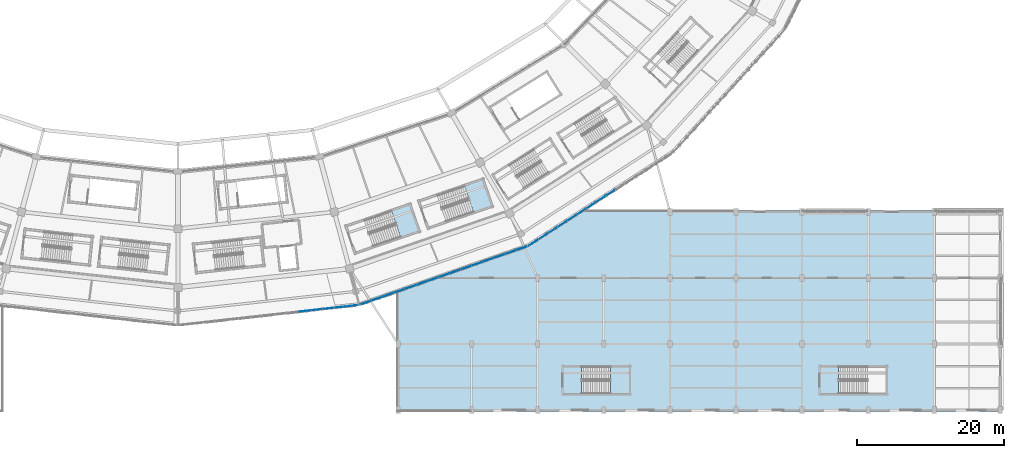
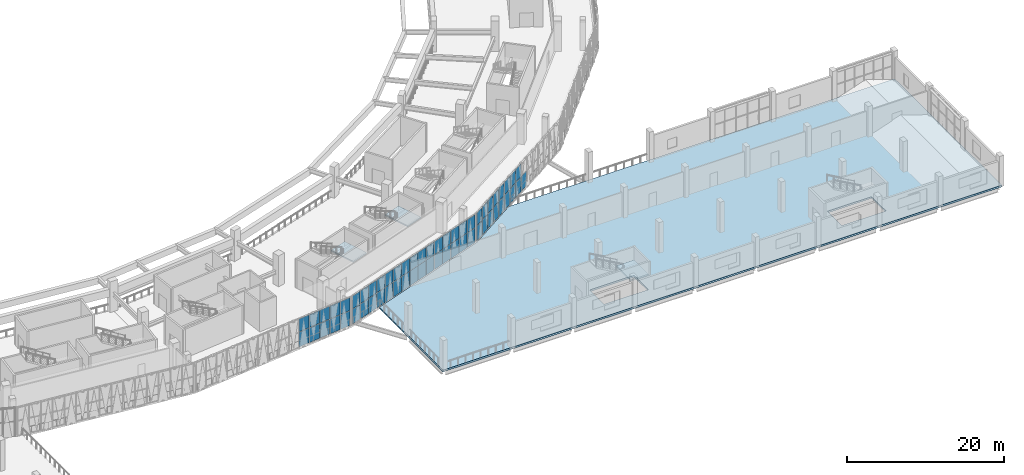
# One storey, part 82 of 179: 57 plates, 4 slabs, 6 elements without a shape of their own.
"""IFC4 building model written with IfcOpenShell, lengths in metres."""

from ifc_helpers import new_model, si_unit, direction, frame, origin, origin_2d, place, context, subcontext, project, spatial, polyline, rectangle, outline, extrude, material, layer, layer_set, type_object, element, aggregate, save


model = new_model("IFC4")

# Units and contexts
model_context = context("Model", 3, precision=1e-05, world=origin(), true_north=direction((0.0, 1.0)))
body_context = subcontext(model_context, "Body", "Model", "MODEL_VIEW")
ifc_project = project(units=[si_unit("LENGTHUNIT", "METRE"), si_unit("AREAUNIT", "SQUARE_METRE"), si_unit("VOLUMEUNIT", "CUBIC_METRE"), si_unit("PLANEANGLEUNIT", "RADIAN"), si_unit("MASSUNIT", "GRAM", prefix="KILO")], contexts=[model_context])

# Site, building, storey
site_placement = place(None, origin())
site = spatial("IfcSite", under=ifc_project, at=site_placement, CompositionType="ELEMENT")
building_placement = place(site_placement, origin())
building = spatial("IfcBuilding", under=site, at=building_placement, Name="Zevraka Park Crest Stadium", CompositionType="ELEMENT")
storey_placement = place(building_placement, frame((0.0, 0.0, 10.199951171875)))
storey = spatial("IfcBuildingStorey", under=building, at=storey_placement, Name="L02", CompositionType="ELEMENT", Elevation=10.199951171875)

# Curtain wall, plates
ifc_material_1 = material(Name="Anodised architectural aluminium and laminated safety glass", Category="aluminium")
curtain_wall_type_1 = type_object("IfcCurtainWallType", Name="CW06", PredefinedType="NOTDEFINED", material=ifc_material_1)
curtain_wall_1_placement = place(storey_placement, origin())
curtain_wall_1 = element("IfcCurtainWall", 1, at=curtain_wall_1_placement, inside=storey, type_object=curtain_wall_type_1, Name="Unitised Ring Curtain Wall CW06 L02-18", PredefinedType="NOTDEFINED")
ifc_material_2 = material(Name="Solar-control laminated double glazing", Category="glass")
ifc_layer_1 = layer(ifc_material_2, 0.028076171875)
ifc_layer_set_1 = layer_set([ifc_layer_1], Name="Solar-control laminated double glazing")
plate_type_1 = type_object("IfcPlateType", Name="CP06", PredefinedType="CURTAIN_PANEL", material=ifc_layer_set_1)
plate_1_placement = place(storey_placement, frame((129.2373046875, 13.493408203125, 0.070068359375), z_axis=(0.0, 0.0, 1.0), x_axis=(0.993899099743, 0.110293152687, 0.0)))
plate_1 = element("IfcPlate", 2, at=plate_1_placement, type_object=plate_type_1, Name="CW06 panel 11.1", PredefinedType="CURTAIN_PANEL", context=body_context, shape_type="SweptSolid", body=[
    extrude(rectangle(XDim=1.5693359375, YDim=0.028076171875, at=origin_2d()), origin(), (0.0, 0.0, 1.0), 2.294921875),
])
plate_2_placement = place(storey_placement, frame((129.2373046875, 13.493408203125, 2.43505859375), z_axis=(0.0, 0.0, 1.0), x_axis=(0.993899099743, 0.110293152687, 0.0)))
plate_2 = element("IfcPlate", 3, at=plate_2_placement, type_object=plate_type_1, Name="CW06 panel 11.2", PredefinedType="CURTAIN_PANEL", context=body_context, shape_type="SweptSolid", body=[
    extrude(rectangle(XDim=1.5693359375, YDim=0.028076171875, at=origin_2d()), origin(), (0.0, 0.0, 1.0), 1.9951171875),
])
plate_3_placement = place(storey_placement, frame((130.866455078125, 13.67431640625, 0.070068359375), z_axis=(0.0, 0.0, 1.0), x_axis=(0.993899099743, 0.110293152687, 0.0)))
plate_3 = element("IfcPlate", 4, at=plate_3_placement, type_object=plate_type_1, Name="CW06 panel 12.1", PredefinedType="CURTAIN_PANEL", context=body_context, shape_type="SweptSolid", body=[
    extrude(rectangle(XDim=1.5693359375, YDim=0.028076171875, at=origin_2d()), origin(), (0.0, 0.0, 1.0), 2.294921875),
])
plate_4_placement = place(storey_placement, frame((130.866455078125, 13.67431640625, 2.43505859375), z_axis=(0.0, 0.0, 1.0), x_axis=(0.993899099743, 0.110293152687, 0.0)))
plate_4 = element("IfcPlate", 5, at=plate_4_placement, type_object=plate_type_1, Name="CW06 panel 12.2", PredefinedType="CURTAIN_PANEL", context=body_context, shape_type="SweptSolid", body=[
    extrude(rectangle(XDim=1.5693359375, YDim=0.028076171875, at=origin_2d()), origin(), (0.0, 0.0, 1.0), 1.9951171875),
])
plate_5_placement = place(storey_placement, frame((132.495849609375, 13.85498046875, 0.070068359375), z_axis=(0.0, 0.0, 1.0), x_axis=(0.993899099743, 0.110293152687, 0.0)))
plate_5 = element("IfcPlate", 6, at=plate_5_placement, type_object=plate_type_1, Name="CW06 panel 13.1", PredefinedType="CURTAIN_PANEL", context=body_context, shape_type="SweptSolid", body=[
    extrude(rectangle(XDim=1.5693359375, YDim=0.028076171875, at=origin_2d()), origin(), (0.0, 0.0, 1.0), 2.294921875),
])
plate_6_placement = place(storey_placement, frame((132.495849609375, 13.85498046875, 2.43505859375), z_axis=(0.0, 0.0, 1.0), x_axis=(0.993899099743, 0.110293152687, 0.0)))
plate_6 = element("IfcPlate", 7, at=plate_6_placement, type_object=plate_type_1, Name="CW06 panel 13.2", PredefinedType="CURTAIN_PANEL", context=body_context, shape_type="SweptSolid", body=[
    extrude(rectangle(XDim=1.5693359375, YDim=0.028076171875, at=origin_2d()), origin(), (0.0, 0.0, 1.0), 1.9951171875),
])
plate_7_placement = place(storey_placement, frame((134.125, 14.035888671875, 0.070068359375), z_axis=(0.0, 0.0, 1.0), x_axis=(0.993899099743, 0.110293152687, 0.0)))
plate_7 = element("IfcPlate", 8, at=plate_7_placement, type_object=plate_type_1, Name="CW06 panel 14.1", PredefinedType="CURTAIN_PANEL", context=body_context, shape_type="SweptSolid", body=[
    extrude(rectangle(XDim=1.5693359375, YDim=0.028076171875, at=origin_2d()), origin(), (0.0, 0.0, 1.0), 2.294921875),
])
plate_8_placement = place(storey_placement, frame((134.125, 14.035888671875, 2.43505859375), z_axis=(0.0, 0.0, 1.0), x_axis=(0.993899099743, 0.110293152687, 0.0)))
plate_8 = element("IfcPlate", 9, at=plate_8_placement, type_object=plate_type_1, Name="CW06 panel 14.2", PredefinedType="CURTAIN_PANEL", context=body_context, shape_type="SweptSolid", body=[
    extrude(rectangle(XDim=1.5693359375, YDim=0.028076171875, at=origin_2d()), origin(), (0.0, 0.0, 1.0), 1.9951171875),
])
plate_9_placement = place(storey_placement, frame((135.737060546875, 14.214599609375, 0.070068359375), z_axis=(0.0, 0.0, 1.0), x_axis=(0.993899099743, 0.110293152687, 0.0)))
plate_9 = element("IfcPlate", 10, at=plate_9_placement, type_object=plate_type_1, Name="CW06 panel 15.1", PredefinedType="CURTAIN_PANEL", context=body_context, shape_type="SweptSolid", body=[
    extrude(rectangle(XDim=1.5341796875, YDim=0.028076171875, at=origin_2d()), origin(), (0.0, 0.0, 1.0), 2.294921875),
])
plate_10_placement = place(storey_placement, frame((135.737060546875, 14.214599609375, 2.43505859375), z_axis=(0.0, 0.0, 1.0), x_axis=(0.993899099743, 0.110293152687, 0.0)))
plate_10 = element("IfcPlate", 11, at=plate_10_placement, type_object=plate_type_1, Name="CW06 panel 15.2", PredefinedType="CURTAIN_PANEL", context=body_context, shape_type="SweptSolid", body=[
    extrude(rectangle(XDim=1.5341796875, YDim=0.028076171875, at=origin_2d()), origin(), (0.0, 0.0, 1.0), 1.9951171875),
])
aggregate(curtain_wall_1, [plate_1, plate_2, plate_3, plate_4, plate_5, plate_6, plate_7, plate_8, plate_9, plate_10])

ifc_material_3 = material(Name="Anodised architectural aluminium and laminated safety glass", Category="aluminium")
curtain_wall_type_2 = type_object("IfcCurtainWallType", Name="CW07", PredefinedType="NOTDEFINED", material=ifc_material_3)
curtain_wall_2_placement = place(storey_placement, origin())
curtain_wall_2 = element("IfcCurtainWall", 12, at=curtain_wall_2_placement, inside=storey, type_object=curtain_wall_type_2, Name="Unitised Ring Curtain Wall CW07 L02-19", PredefinedType="NOTDEFINED")
ifc_material_4 = material(Name="Solar-control laminated double glazing", Category="glass")
ifc_layer_2 = layer(ifc_material_4, 0.028076171875)
ifc_layer_set_2 = layer_set([ifc_layer_2], Name="Solar-control laminated double glazing")
plate_type_2 = type_object("IfcPlateType", Name="CP07", PredefinedType="CURTAIN_PANEL", material=ifc_layer_set_2)
plate_11_placement = place(storey_placement, frame((137.59619140625, 14.635009765625, 0.06005859375), z_axis=(0.0, 0.0, 1.0), x_axis=(0.944114076789, 0.329618886002, 0.0)))
plate_11 = element("IfcPlate", 13, at=plate_11_placement, type_object=plate_type_2, Name="CW07 panel 1.1", PredefinedType="CURTAIN_PANEL", context=body_context, shape_type="SweptSolid", body=[
    extrude(rectangle(XDim=1.517822265625, YDim=0.028076171875, at=origin_2d()), origin(), (0.0, 0.0, 1.0), 2.31005859375),
])
plate_12_placement = place(storey_placement, frame((137.59619140625, 14.635009765625, 2.43017578125), z_axis=(0.0, 0.0, 1.0), x_axis=(0.944114076789, 0.329618886002, 0.0)))
plate_12 = element("IfcPlate", 14, at=plate_12_placement, type_object=plate_type_2, Name="CW07 panel 1.2", PredefinedType="CURTAIN_PANEL", context=body_context, shape_type="SweptSolid", body=[
    extrude(rectangle(XDim=1.517822265625, YDim=0.028076171875, at=origin_2d()), origin(), (0.0, 0.0, 1.0), 2.010009765625),
])
plate_13_placement = place(storey_placement, frame((139.099853515625, 15.159912109375, 0.06005859375), z_axis=(0.0, 0.0, 1.0), x_axis=(0.944114076789, 0.329618886002, 0.0)))
plate_13 = element("IfcPlate", 15, at=plate_13_placement, type_object=plate_type_2, Name="CW07 panel 2.1", PredefinedType="CURTAIN_PANEL", context=body_context, shape_type="SweptSolid", body=[
    extrude(rectangle(XDim=1.547607421875, YDim=0.028076171875, at=origin_2d()), origin(), (0.0, 0.0, 1.0), 2.31005859375),
])
plate_14_placement = place(storey_placement, frame((139.099853515625, 15.159912109375, 2.43017578125), z_axis=(0.0, 0.0, 1.0), x_axis=(0.944114076789, 0.329618886002, 0.0)))
plate_14 = element("IfcPlate", 16, at=plate_14_placement, type_object=plate_type_2, Name="CW07 panel 2.2", PredefinedType="CURTAIN_PANEL", context=body_context, shape_type="SweptSolid", body=[
    extrude(rectangle(XDim=1.547607421875, YDim=0.028076171875, at=origin_2d()), origin(), (0.0, 0.0, 1.0), 2.010009765625),
])
plate_15_placement = place(storey_placement, frame((140.61767578125, 15.68994140625, 0.06005859375), z_axis=(0.0, 0.0, 1.0), x_axis=(0.944114076789, 0.329618886002, 0.0)))
plate_15 = element("IfcPlate", 17, at=plate_15_placement, type_object=plate_type_2, Name="CW07 panel 3.1", PredefinedType="CURTAIN_PANEL", context=body_context, shape_type="SweptSolid", body=[
    extrude(rectangle(XDim=1.547607421875, YDim=0.028076171875, at=origin_2d()), origin(), (0.0, 0.0, 1.0), 2.31005859375),
])
plate_16_placement = place(storey_placement, frame((140.61767578125, 15.68994140625, 2.43017578125), z_axis=(0.0, 0.0, 1.0), x_axis=(0.944114076789, 0.329618886002, 0.0)))
plate_16 = element("IfcPlate", 18, at=plate_16_placement, type_object=plate_type_2, Name="CW07 panel 3.2", PredefinedType="CURTAIN_PANEL", context=body_context, shape_type="SweptSolid", body=[
    extrude(rectangle(XDim=1.547607421875, YDim=0.028076171875, at=origin_2d()), origin(), (0.0, 0.0, 1.0), 2.010009765625),
])
plate_17_placement = place(storey_placement, frame((142.135498046875, 16.2197265625, 0.06005859375), z_axis=(0.0, 0.0, 1.0), x_axis=(0.944114076789, 0.329618886002, 0.0)))
plate_17 = element("IfcPlate", 19, at=plate_17_placement, type_object=plate_type_2, Name="CW07 panel 4.1", PredefinedType="CURTAIN_PANEL", context=body_context, shape_type="SweptSolid", body=[
    extrude(rectangle(XDim=1.547607421875, YDim=0.028076171875, at=origin_2d()), origin(), (0.0, 0.0, 1.0), 2.31005859375),
])
plate_18_placement = place(storey_placement, frame((142.135498046875, 16.2197265625, 2.43017578125), z_axis=(0.0, 0.0, 1.0), x_axis=(0.944114076789, 0.329618886002, 0.0)))
plate_18 = element("IfcPlate", 20, at=plate_18_placement, type_object=plate_type_2, Name="CW07 panel 4.2", PredefinedType="CURTAIN_PANEL", context=body_context, shape_type="SweptSolid", body=[
    extrude(rectangle(XDim=1.547607421875, YDim=0.028076171875, at=origin_2d()), origin(), (0.0, 0.0, 1.0), 2.010009765625),
])
plate_19_placement = place(storey_placement, frame((143.6533203125, 16.749755859375, 0.06005859375), z_axis=(0.0, 0.0, 1.0), x_axis=(0.944114076789, 0.329618886002, 0.0)))
plate_19 = element("IfcPlate", 21, at=plate_19_placement, type_object=plate_type_2, Name="CW07 panel 5.1", PredefinedType="CURTAIN_PANEL", context=body_context, shape_type="SweptSolid", body=[
    extrude(rectangle(XDim=1.547607421875, YDim=0.028076171875, at=origin_2d()), origin(), (0.0, 0.0, 1.0), 2.31005859375),
])
plate_20_placement = place(storey_placement, frame((143.6533203125, 16.749755859375, 2.43017578125), z_axis=(0.0, 0.0, 1.0), x_axis=(0.944114076789, 0.329618886002, 0.0)))
plate_20 = element("IfcPlate", 22, at=plate_20_placement, type_object=plate_type_2, Name="CW07 panel 5.2", PredefinedType="CURTAIN_PANEL", context=body_context, shape_type="SweptSolid", body=[
    extrude(rectangle(XDim=1.547607421875, YDim=0.028076171875, at=origin_2d()), origin(), (0.0, 0.0, 1.0), 2.010009765625),
])
plate_21_placement = place(storey_placement, frame((145.17138671875, 17.279541015625, 0.06005859375), z_axis=(0.0, 0.0, 1.0), x_axis=(0.944114076789, 0.329618886002, 0.0)))
plate_21 = element("IfcPlate", 23, at=plate_21_placement, type_object=plate_type_2, Name="CW07 panel 6.1", PredefinedType="CURTAIN_PANEL", context=body_context, shape_type="SweptSolid", body=[
    extrude(rectangle(XDim=1.547607421875, YDim=0.028076171875, at=origin_2d()), origin(), (0.0, 0.0, 1.0), 2.31005859375),
])
plate_22_placement = place(storey_placement, frame((145.17138671875, 17.279541015625, 2.43017578125), z_axis=(0.0, 0.0, 1.0), x_axis=(0.944114076789, 0.329618886002, 0.0)))
plate_22 = element("IfcPlate", 24, at=plate_22_placement, type_object=plate_type_2, Name="CW07 panel 6.2", PredefinedType="CURTAIN_PANEL", context=body_context, shape_type="SweptSolid", body=[
    extrude(rectangle(XDim=1.547607421875, YDim=0.028076171875, at=origin_2d()), origin(), (0.0, 0.0, 1.0), 2.010009765625),
])
plate_23_placement = place(storey_placement, frame((146.689208984375, 17.8095703125, 0.06005859375), z_axis=(0.0, 0.0, 1.0), x_axis=(0.944114076789, 0.329618886002, 0.0)))
plate_23 = element("IfcPlate", 25, at=plate_23_placement, type_object=plate_type_2, Name="CW07 panel 7.1", PredefinedType="CURTAIN_PANEL", context=body_context, shape_type="SweptSolid", body=[
    extrude(rectangle(XDim=1.547607421875, YDim=0.028076171875, at=origin_2d()), origin(), (0.0, 0.0, 1.0), 2.31005859375),
])
plate_24_placement = place(storey_placement, frame((146.689208984375, 17.8095703125, 2.43017578125), z_axis=(0.0, 0.0, 1.0), x_axis=(0.944114076789, 0.329618886002, 0.0)))
plate_24 = element("IfcPlate", 26, at=plate_24_placement, type_object=plate_type_2, Name="CW07 panel 7.2", PredefinedType="CURTAIN_PANEL", context=body_context, shape_type="SweptSolid", body=[
    extrude(rectangle(XDim=1.547607421875, YDim=0.028076171875, at=origin_2d()), origin(), (0.0, 0.0, 1.0), 2.010009765625),
])
plate_25_placement = place(storey_placement, frame((148.20703125, 18.339599609375, 0.06005859375), z_axis=(0.0, 0.0, 1.0), x_axis=(0.944114076789, 0.329618886002, 0.0)))
plate_25 = element("IfcPlate", 27, at=plate_25_placement, type_object=plate_type_2, Name="CW07 panel 8.1", PredefinedType="CURTAIN_PANEL", context=body_context, shape_type="SweptSolid", body=[
    extrude(rectangle(XDim=1.547607421875, YDim=0.028076171875, at=origin_2d()), origin(), (0.0, 0.0, 1.0), 2.31005859375),
])
plate_26_placement = place(storey_placement, frame((148.20703125, 18.339599609375, 2.43017578125), z_axis=(0.0, 0.0, 1.0), x_axis=(0.944114076789, 0.329618886002, 0.0)))
plate_26 = element("IfcPlate", 28, at=plate_26_placement, type_object=plate_type_2, Name="CW07 panel 8.2", PredefinedType="CURTAIN_PANEL", context=body_context, shape_type="SweptSolid", body=[
    extrude(rectangle(XDim=1.547607421875, YDim=0.028076171875, at=origin_2d()), origin(), (0.0, 0.0, 1.0), 2.010009765625),
])
plate_27_placement = place(storey_placement, frame((149.724853515625, 18.869384765625, 0.06005859375), z_axis=(0.0, 0.0, 1.0), x_axis=(0.944114076789, 0.329618886002, 0.0)))
plate_27 = element("IfcPlate", 29, at=plate_27_placement, type_object=plate_type_2, Name="CW07 panel 9.1", PredefinedType="CURTAIN_PANEL", context=body_context, shape_type="SweptSolid", body=[
    extrude(rectangle(XDim=1.547607421875, YDim=0.028076171875, at=origin_2d()), origin(), (0.0, 0.0, 1.0), 2.31005859375),
])
plate_28_placement = place(storey_placement, frame((149.724853515625, 18.869384765625, 2.43017578125), z_axis=(0.0, 0.0, 1.0), x_axis=(0.944114076789, 0.329618886002, 0.0)))
plate_28 = element("IfcPlate", 30, at=plate_28_placement, type_object=plate_type_2, Name="CW07 panel 9.2", PredefinedType="CURTAIN_PANEL", context=body_context, shape_type="SweptSolid", body=[
    extrude(rectangle(XDim=1.547607421875, YDim=0.028076171875, at=origin_2d()), origin(), (0.0, 0.0, 1.0), 2.010009765625),
])
plate_29_placement = place(storey_placement, frame((151.24267578125, 19.3994140625, 0.06005859375), z_axis=(0.0, 0.0, 1.0), x_axis=(0.944114076789, 0.329618886002, 0.0)))
plate_29 = element("IfcPlate", 31, at=plate_29_placement, type_object=plate_type_2, Name="CW07 panel 10.1", PredefinedType="CURTAIN_PANEL", context=body_context, shape_type="SweptSolid", body=[
    extrude(rectangle(XDim=1.547607421875, YDim=0.028076171875, at=origin_2d()), origin(), (0.0, 0.0, 1.0), 2.31005859375),
])
plate_30_placement = place(storey_placement, frame((151.24267578125, 19.3994140625, 2.43017578125), z_axis=(0.0, 0.0, 1.0), x_axis=(0.944114076789, 0.329618886002, 0.0)))
plate_30 = element("IfcPlate", 32, at=plate_30_placement, type_object=plate_type_2, Name="CW07 panel 10.2", PredefinedType="CURTAIN_PANEL", context=body_context, shape_type="SweptSolid", body=[
    extrude(rectangle(XDim=1.547607421875, YDim=0.028076171875, at=origin_2d()), origin(), (0.0, 0.0, 1.0), 2.010009765625),
])
plate_31_placement = place(storey_placement, frame((152.760498046875, 19.92919921875, 0.06005859375), z_axis=(0.0, 0.0, 1.0), x_axis=(0.944114076789, 0.329618886002, 0.0)))
plate_31 = element("IfcPlate", 33, at=plate_31_placement, type_object=plate_type_2, Name="CW07 panel 11.1", PredefinedType="CURTAIN_PANEL", context=body_context, shape_type="SweptSolid", body=[
    extrude(rectangle(XDim=1.547607421875, YDim=0.028076171875, at=origin_2d()), origin(), (0.0, 0.0, 1.0), 2.31005859375),
])
plate_32_placement = place(storey_placement, frame((152.760498046875, 19.92919921875, 2.43017578125), z_axis=(0.0, 0.0, 1.0), x_axis=(0.944114076789, 0.329618886002, 0.0)))
plate_32 = element("IfcPlate", 34, at=plate_32_placement, type_object=plate_type_2, Name="CW07 panel 11.2", PredefinedType="CURTAIN_PANEL", context=body_context, shape_type="SweptSolid", body=[
    extrude(rectangle(XDim=1.547607421875, YDim=0.028076171875, at=origin_2d()), origin(), (0.0, 0.0, 1.0), 2.010009765625),
])
plate_33_placement = place(storey_placement, frame((154.278564453125, 20.459228515625, 0.06005859375), z_axis=(0.0, 0.0, 1.0), x_axis=(0.944114076789, 0.329618886002, 0.0)))
plate_33 = element("IfcPlate", 35, at=plate_33_placement, type_object=plate_type_2, Name="CW07 panel 12.1", PredefinedType="CURTAIN_PANEL", context=body_context, shape_type="SweptSolid", body=[
    extrude(rectangle(XDim=1.547607421875, YDim=0.028076171875, at=origin_2d()), origin(), (0.0, 0.0, 1.0), 2.31005859375),
])
plate_34_placement = place(storey_placement, frame((154.278564453125, 20.459228515625, 2.43017578125), z_axis=(0.0, 0.0, 1.0), x_axis=(0.944114076789, 0.329618886002, 0.0)))
plate_34 = element("IfcPlate", 36, at=plate_34_placement, type_object=plate_type_2, Name="CW07 panel 12.2", PredefinedType="CURTAIN_PANEL", context=body_context, shape_type="SweptSolid", body=[
    extrude(rectangle(XDim=1.547607421875, YDim=0.028076171875, at=origin_2d()), origin(), (0.0, 0.0, 1.0), 2.010009765625),
])
plate_35_placement = place(storey_placement, frame((155.79638671875, 20.9892578125, 0.06005859375), z_axis=(0.0, 0.0, 1.0), x_axis=(0.944114076789, 0.329618886002, 0.0)))
plate_35 = element("IfcPlate", 37, at=plate_35_placement, type_object=plate_type_2, Name="CW07 panel 13.1", PredefinedType="CURTAIN_PANEL", context=body_context, shape_type="SweptSolid", body=[
    extrude(rectangle(XDim=1.547607421875, YDim=0.028076171875, at=origin_2d()), origin(), (0.0, 0.0, 1.0), 2.31005859375),
])
plate_36_placement = place(storey_placement, frame((155.79638671875, 20.9892578125, 2.43017578125), z_axis=(0.0, 0.0, 1.0), x_axis=(0.944114076789, 0.329618886002, 0.0)))
plate_36 = element("IfcPlate", 38, at=plate_36_placement, type_object=plate_type_2, Name="CW07 panel 13.2", PredefinedType="CURTAIN_PANEL", context=body_context, shape_type="SweptSolid", body=[
    extrude(rectangle(XDim=1.547607421875, YDim=0.028076171875, at=origin_2d()), origin(), (0.0, 0.0, 1.0), 2.010009765625),
])
plate_37_placement = place(storey_placement, frame((157.314208984375, 21.51904296875, 0.06005859375), z_axis=(0.0, 0.0, 1.0), x_axis=(0.944114076789, 0.329618886002, 0.0)))
plate_37 = element("IfcPlate", 39, at=plate_37_placement, type_object=plate_type_2, Name="CW07 panel 14.1", PredefinedType="CURTAIN_PANEL", context=body_context, shape_type="SweptSolid", body=[
    extrude(rectangle(XDim=1.547607421875, YDim=0.028076171875, at=origin_2d()), origin(), (0.0, 0.0, 1.0), 2.31005859375),
])
plate_38_placement = place(storey_placement, frame((157.314208984375, 21.51904296875, 2.43017578125), z_axis=(0.0, 0.0, 1.0), x_axis=(0.944114076789, 0.329618886002, 0.0)))
plate_38 = element("IfcPlate", 40, at=plate_38_placement, type_object=plate_type_2, Name="CW07 panel 14.2", PredefinedType="CURTAIN_PANEL", context=body_context, shape_type="SweptSolid", body=[
    extrude(rectangle(XDim=1.547607421875, YDim=0.028076171875, at=origin_2d()), origin(), (0.0, 0.0, 1.0), 2.010009765625),
])
plate_39_placement = place(storey_placement, frame((158.81787109375, 22.044189453125, 0.06005859375), z_axis=(0.0, 0.0, 1.0), x_axis=(0.944114076789, 0.329618886002, 0.0)))
plate_39 = element("IfcPlate", 41, at=plate_39_placement, type_object=plate_type_2, Name="CW07 panel 15.1", PredefinedType="CURTAIN_PANEL", context=body_context, shape_type="SweptSolid", body=[
    extrude(rectangle(XDim=1.517822265625, YDim=0.028076171875, at=origin_2d()), origin(), (0.0, 0.0, 1.0), 2.31005859375),
])
plate_40_placement = place(storey_placement, frame((158.81787109375, 22.044189453125, 2.43017578125), z_axis=(0.0, 0.0, 1.0), x_axis=(0.944114076789, 0.329618886002, 0.0)))
plate_40 = element("IfcPlate", 42, at=plate_40_placement, type_object=plate_type_2, Name="CW07 panel 15.2", PredefinedType="CURTAIN_PANEL", context=body_context, shape_type="SweptSolid", body=[
    extrude(rectangle(XDim=1.517822265625, YDim=0.028076171875, at=origin_2d()), origin(), (0.0, 0.0, 1.0), 2.010009765625),
])
aggregate(curtain_wall_2, [plate_11, plate_12, plate_13, plate_14, plate_15, plate_16, plate_17, plate_18, plate_19, plate_20, plate_21, plate_22, plate_23, plate_24, plate_25, plate_26, plate_27, plate_28, plate_29, plate_30, plate_31, plate_32, plate_33, plate_34, plate_35, plate_36, plate_37, plate_38, plate_39, plate_40])

ifc_material_5 = material(Name="Anodised architectural aluminium and laminated safety glass", Category="aluminium")
curtain_wall_type_3 = type_object("IfcCurtainWallType", Name="CW08", PredefinedType="NOTDEFINED", material=ifc_material_5)
curtain_wall_3_placement = place(storey_placement, origin())
curtain_wall_3 = element("IfcCurtainWall", 43, at=curtain_wall_3_placement, inside=storey, type_object=curtain_wall_type_3, Name="Unitised Ring Curtain Wall CW08 L02-20", PredefinedType="NOTDEFINED")
ifc_material_6 = material(Name="Solar-control laminated double glazing", Category="glass")
ifc_layer_3 = layer(ifc_material_6, 0.028076171875)
ifc_layer_set_3 = layer_set([ifc_layer_3], Name="Solar-control laminated double glazing")
plate_type_3 = type_object("IfcPlateType", Name="CP08", PredefinedType="CURTAIN_PANEL", material=ifc_layer_set_3)
plate_41_placement = place(storey_placement, frame((160.489013671875, 22.858154296875, 0.06494140625), z_axis=(0.0, 0.0, 1.0), x_axis=(0.839670424967, 0.543096287444, 0.0)))
plate_41 = element("IfcPlate", 44, at=plate_41_placement, type_object=plate_type_3, Name="CW08 panel 1.1", PredefinedType="CURTAIN_PANEL", context=body_context, shape_type="SweptSolid", body=[
    extrude(rectangle(XDim=1.4541015625, YDim=0.028076171875, at=origin_2d()), origin(), (0.0, 0.0, 1.0), 2.302490234375),
])
plate_42_placement = place(storey_placement, frame((160.489013671875, 22.858154296875, 2.4326171875), z_axis=(0.0, 0.0, 1.0), x_axis=(0.839670424967, 0.543096287444, 0.0)))
plate_42 = element("IfcPlate", 45, at=plate_42_placement, type_object=plate_type_3, Name="CW08 panel 1.2", PredefinedType="CURTAIN_PANEL", context=body_context, shape_type="SweptSolid", body=[
    extrude(rectangle(XDim=1.4541015625, YDim=0.028076171875, at=origin_2d()), origin(), (0.0, 0.0, 1.0), 2.00244140625),
])
plate_43_placement = place(storey_placement, frame((161.7783203125, 23.692138671875, 0.06494140625), z_axis=(0.0, 0.0, 1.0), x_axis=(0.839670424967, 0.543096287444, 0.0)))
plate_43 = element("IfcPlate", 46, at=plate_43_placement, type_object=plate_type_3, Name="CW08 panel 2.1", PredefinedType="CURTAIN_PANEL", context=body_context, shape_type="SweptSolid", body=[
    extrude(rectangle(XDim=1.48681640625, YDim=0.028076171875, at=origin_2d()), origin(), (0.0, 0.0, 1.0), 2.302490234375),
])
plate_44_placement = place(storey_placement, frame((161.7783203125, 23.692138671875, 2.4326171875), z_axis=(0.0, 0.0, 1.0), x_axis=(0.839670424967, 0.543096287444, 0.0)))
plate_44 = element("IfcPlate", 47, at=plate_44_placement, type_object=plate_type_3, Name="CW08 panel 2.2", PredefinedType="CURTAIN_PANEL", context=body_context, shape_type="SweptSolid", body=[
    extrude(rectangle(XDim=1.48681640625, YDim=0.028076171875, at=origin_2d()), origin(), (0.0, 0.0, 1.0), 2.00244140625),
])
plate_45_placement = place(storey_placement, frame((163.081298828125, 24.534912109375, 0.06494140625), z_axis=(0.0, 0.0, 1.0), x_axis=(0.839670424967, 0.543096287444, 0.0)))
plate_45 = element("IfcPlate", 48, at=plate_45_placement, type_object=plate_type_3, Name="CW08 panel 3.1", PredefinedType="CURTAIN_PANEL", context=body_context, shape_type="SweptSolid", body=[
    extrude(rectangle(XDim=1.48681640625, YDim=0.028076171875, at=origin_2d()), origin(), (0.0, 0.0, 1.0), 2.302490234375),
])
plate_46_placement = place(storey_placement, frame((163.081298828125, 24.534912109375, 2.4326171875), z_axis=(0.0, 0.0, 1.0), x_axis=(0.839670424967, 0.543096287444, 0.0)))
plate_46 = element("IfcPlate", 49, at=plate_46_placement, type_object=plate_type_3, Name="CW08 panel 3.2", PredefinedType="CURTAIN_PANEL", context=body_context, shape_type="SweptSolid", body=[
    extrude(rectangle(XDim=1.48681640625, YDim=0.028076171875, at=origin_2d()), origin(), (0.0, 0.0, 1.0), 2.00244140625),
])
plate_47_placement = place(storey_placement, frame((164.38427734375, 25.377685546875, 0.06494140625), z_axis=(0.0, 0.0, 1.0), x_axis=(0.839670424967, 0.543096287444, 0.0)))
plate_47 = element("IfcPlate", 50, at=plate_47_placement, type_object=plate_type_3, Name="CW08 panel 4.1", PredefinedType="CURTAIN_PANEL", context=body_context, shape_type="SweptSolid", body=[
    extrude(rectangle(XDim=1.48681640625, YDim=0.028076171875, at=origin_2d()), origin(), (0.0, 0.0, 1.0), 2.302490234375),
])
plate_48_placement = place(storey_placement, frame((164.38427734375, 25.377685546875, 2.4326171875), z_axis=(0.0, 0.0, 1.0), x_axis=(0.839670424967, 0.543096287444, 0.0)))
plate_48 = element("IfcPlate", 51, at=plate_48_placement, type_object=plate_type_3, Name="CW08 panel 4.2", PredefinedType="CURTAIN_PANEL", context=body_context, shape_type="SweptSolid", body=[
    extrude(rectangle(XDim=1.48681640625, YDim=0.028076171875, at=origin_2d()), origin(), (0.0, 0.0, 1.0), 2.00244140625),
])
plate_49_placement = place(storey_placement, frame((165.687255859375, 26.22021484375, 0.06494140625), z_axis=(0.0, 0.0, 1.0), x_axis=(0.839670424967, 0.543096287444, 0.0)))
plate_49 = element("IfcPlate", 52, at=plate_49_placement, type_object=plate_type_3, Name="CW08 panel 5.1", PredefinedType="CURTAIN_PANEL", context=body_context, shape_type="SweptSolid", body=[
    extrude(rectangle(XDim=1.48681640625, YDim=0.028076171875, at=origin_2d()), origin(), (0.0, 0.0, 1.0), 2.302490234375),
])
plate_50_placement = place(storey_placement, frame((165.687255859375, 26.22021484375, 2.4326171875), z_axis=(0.0, 0.0, 1.0), x_axis=(0.839670424967, 0.543096287444, 0.0)))
plate_50 = element("IfcPlate", 53, at=plate_50_placement, type_object=plate_type_3, Name="CW08 panel 5.2", PredefinedType="CURTAIN_PANEL", context=body_context, shape_type="SweptSolid", body=[
    extrude(rectangle(XDim=1.48681640625, YDim=0.028076171875, at=origin_2d()), origin(), (0.0, 0.0, 1.0), 2.00244140625),
])
plate_51_placement = place(storey_placement, frame((166.990234375, 27.06298828125, 0.06494140625), z_axis=(0.0, 0.0, 1.0), x_axis=(0.839670424967, 0.543096287444, 0.0)))
plate_51 = element("IfcPlate", 54, at=plate_51_placement, type_object=plate_type_3, Name="CW08 panel 6.1", PredefinedType="CURTAIN_PANEL", context=body_context, shape_type="SweptSolid", body=[
    extrude(rectangle(XDim=1.48681640625, YDim=0.028076171875, at=origin_2d()), origin(), (0.0, 0.0, 1.0), 2.302490234375),
])
plate_52_placement = place(storey_placement, frame((166.990234375, 27.06298828125, 2.4326171875), z_axis=(0.0, 0.0, 1.0), x_axis=(0.839670424967, 0.543096287444, 0.0)))
plate_52 = element("IfcPlate", 55, at=plate_52_placement, type_object=plate_type_3, Name="CW08 panel 6.2", PredefinedType="CURTAIN_PANEL", context=body_context, shape_type="SweptSolid", body=[
    extrude(rectangle(XDim=1.48681640625, YDim=0.028076171875, at=origin_2d()), origin(), (0.0, 0.0, 1.0), 2.00244140625),
])
plate_53_placement = place(storey_placement, frame((168.29296875, 27.90576171875, 0.06494140625), z_axis=(0.0, 0.0, 1.0), x_axis=(0.839670424967, 0.543096287444, 0.0)))
plate_53 = element("IfcPlate", 56, at=plate_53_placement, type_object=plate_type_3, Name="CW08 panel 7.1", PredefinedType="CURTAIN_PANEL", context=body_context, shape_type="SweptSolid", body=[
    extrude(rectangle(XDim=1.48681640625, YDim=0.028076171875, at=origin_2d()), origin(), (0.0, 0.0, 1.0), 2.302490234375),
])
plate_54_placement = place(storey_placement, frame((168.29296875, 27.90576171875, 2.4326171875), z_axis=(0.0, 0.0, 1.0), x_axis=(0.839670424967, 0.543096287444, 0.0)))
plate_54 = element("IfcPlate", 57, at=plate_54_placement, type_object=plate_type_3, Name="CW08 panel 7.2", PredefinedType="CURTAIN_PANEL", context=body_context, shape_type="SweptSolid", body=[
    extrude(rectangle(XDim=1.48681640625, YDim=0.028076171875, at=origin_2d()), origin(), (0.0, 0.0, 1.0), 2.00244140625),
])
plate_55_placement = place(storey_placement, frame((169.595947265625, 28.74853515625, 0.06494140625), z_axis=(0.0, 0.0, 1.0), x_axis=(0.839670424967, 0.543096287444, 0.0)))
plate_55 = element("IfcPlate", 58, at=plate_55_placement, type_object=plate_type_3, Name="CW08 panel 8.1", PredefinedType="CURTAIN_PANEL", context=body_context, shape_type="SweptSolid", body=[
    extrude(rectangle(XDim=1.48681640625, YDim=0.028076171875, at=origin_2d()), origin(), (0.0, 0.0, 1.0), 2.302490234375),
])
plate_56_placement = place(storey_placement, frame((169.595947265625, 28.74853515625, 2.4326171875), z_axis=(0.0, 0.0, 1.0), x_axis=(0.839670424967, 0.543096287444, 0.0)))
plate_56 = element("IfcPlate", 59, at=plate_56_placement, type_object=plate_type_3, Name="CW08 panel 8.2", PredefinedType="CURTAIN_PANEL", context=body_context, shape_type="SweptSolid", body=[
    extrude(rectangle(XDim=1.48681640625, YDim=0.028076171875, at=origin_2d()), origin(), (0.0, 0.0, 1.0), 2.00244140625),
])
plate_57_placement = place(storey_placement, frame((170.89892578125, 29.59130859375, 0.06494140625), z_axis=(0.0, 0.0, 1.0), x_axis=(0.839670424967, 0.543096287444, 0.0)))
plate_57 = element("IfcPlate", 60, at=plate_57_placement, type_object=plate_type_3, Name="CW08 panel 9.1", PredefinedType="CURTAIN_PANEL", context=body_context, shape_type="SweptSolid", body=[
    extrude(rectangle(XDim=1.48681640625, YDim=0.028076171875, at=origin_2d()), origin(), (0.0, 0.0, 1.0), 2.302490234375),
])
aggregate(curtain_wall_3, [plate_41, plate_42, plate_43, plate_44, plate_45, plate_46, plate_47, plate_48, plate_49, plate_50, plate_51, plate_52, plate_53, plate_54, plate_55, plate_56, plate_57])

# Slab
ifc_material_7 = material(Name="Concrete C35/45", Category="concrete")
ifc_layer_4 = layer(ifc_material_7, 0.280029296875)
ifc_layer_set_4 = layer_set([ifc_layer_4], Name="Concrete C35/45")
slab_type_1 = type_object("IfcSlabType", Name="FS02", PredefinedType="FLOOR", material=ifc_layer_set_4)
slab_1_placement = place(storey_placement, frame((0.0, 0.0, -0.280029296875)))
element("IfcSlab", 61, at=slab_1_placement, inside=storey, type_object=slab_type_1, Name="South Street Broadcast, Press Auditorium and Central Plant Wing Floor Slab L02-2", PredefinedType="FLOOR", context=body_context, shape_type="SweptSolid", body=[
    extrude(outline(polyline([(224.175048828125, -0.175048828125), (141.824951171875, -0.175048828125), (141.824951171875, 16.02099609375), (159.751953125, 22.281005859375), (167.320068359375, 27.175048828125), (224.175048828125, 27.175048828125), (224.175048828125, -0.175048828125)]), holes=[polyline([(166.97998046875, 2.25), (173.5, 2.25), (173.5, 5.909912109375), (166.97998046875, 5.909912109375), (166.97998046875, 2.25)]), polyline([(201.97998046875, 2.25), (208.5, 2.25), (208.5, 5.909912109375), (201.97998046875, 5.909912109375), (201.97998046875, 2.25)])]), origin(), (0.0, 0.0, 1.0), 0.280029296875),
])

# Stair, slab
ifc_material_8 = material(Name="Concrete C35/45", Category="concrete")
stair_type_1 = type_object("IfcStairType", Name="STA2", PredefinedType="HALF_TURN_STAIR", material=ifc_material_8)
stair_1_placement = place(storey_placement, origin())
stair_1 = element("IfcStair", 62, at=stair_1_placement, inside=storey, type_object=stair_type_1, Name="L02 Protected Concourse Exit Stair ST20", PredefinedType="HALF_TURN_STAIR")
ifc_material_9 = material(Name="Concrete C35/45", Category="concrete")
ifc_layer_5 = layer(ifc_material_9, 0.199951171875)
ifc_layer_set_5 = layer_set([ifc_layer_5], Name="Concrete C35/45")
slab_type_2 = type_object("IfcSlabType", Name="LS01", PredefinedType="LANDING", material=ifc_layer_set_5)
slab_2_placement = place(storey_placement, frame((0.0, 0.0, 2.199951171875)))
slab_2 = element("IfcSlab", 63, at=slab_2_placement, type_object=slab_type_2, Name="ST20 landing 1", PredefinedType="LANDING", context=body_context, shape_type="SweptSolid", body=[
    extrude(outline(polyline([(142.310546875, 23.557373046875), (144.77978515625, 24.403076171875), (143.561767578125, 27.960205078125), (141.092529296875, 27.114501953125), (142.310546875, 23.557373046875)])), origin(), (0.0, 0.0, 1.0), 0.2001953125),
])
aggregate(stair_1, [slab_2])

stair_2_placement = place(storey_placement, origin())
stair_2 = element("IfcStair", 64, at=stair_2_placement, inside=storey, type_object=stair_type_1, Name="L02 Protected Paired Concourse Exit Stair ST31", PredefinedType="HALF_TURN_STAIR")
slab_3_placement = place(storey_placement, frame((0.0, 0.0, 2.199951171875)))
slab_3 = element("IfcSlab", 65, at=slab_3_placement, type_object=slab_type_2, Name="ST31 landing 1", PredefinedType="LANDING", context=body_context, shape_type="SweptSolid", body=[
    extrude(outline(polyline([(152.24462890625, 26.95849609375), (154.7138671875, 27.803955078125), (153.495849609375, 31.361083984375), (151.026611328125, 30.515625), (152.24462890625, 26.95849609375)])), origin(), (0.0, 0.0, 1.0), 0.2001953125),
])
aggregate(stair_2, [slab_3])

ifc_material_10 = material(Name="Concrete C35/45", Category="concrete")
stair_type_2 = type_object("IfcStairType", Name="STC2", PredefinedType="HALF_TURN_STAIR", material=ifc_material_10)
stair_3_placement = place(storey_placement, origin())
stair_3 = element("IfcStair", 66, at=stair_3_placement, inside=storey, type_object=stair_type_2, Name="L02 Southeast Plant Wing West Stair ST53", PredefinedType="HALF_TURN_STAIR")
slab_4_placement = place(storey_placement, frame((0.0, 0.0, 2.199951171875)))
slab_4 = element("IfcSlab", 67, at=slab_4_placement, type_object=slab_type_2, Name="ST53 landing 1", PredefinedType="LANDING", context=body_context, shape_type="SweptSolid", body=[
    extrude(outline(polyline([(170.889892578125, 2.25), (173.5, 2.25), (173.5, 5.909912109375), (170.889892578125, 5.909912109375), (170.889892578125, 2.25)])), origin(), (0.0, 0.0, 1.0), 0.2001953125),
])
aggregate(stair_3, [slab_4])

save(model, "model.ifc")
